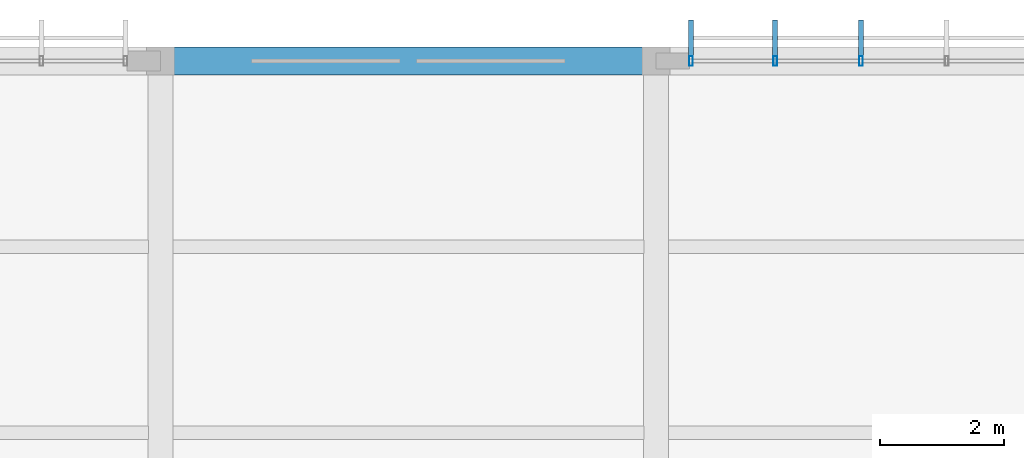
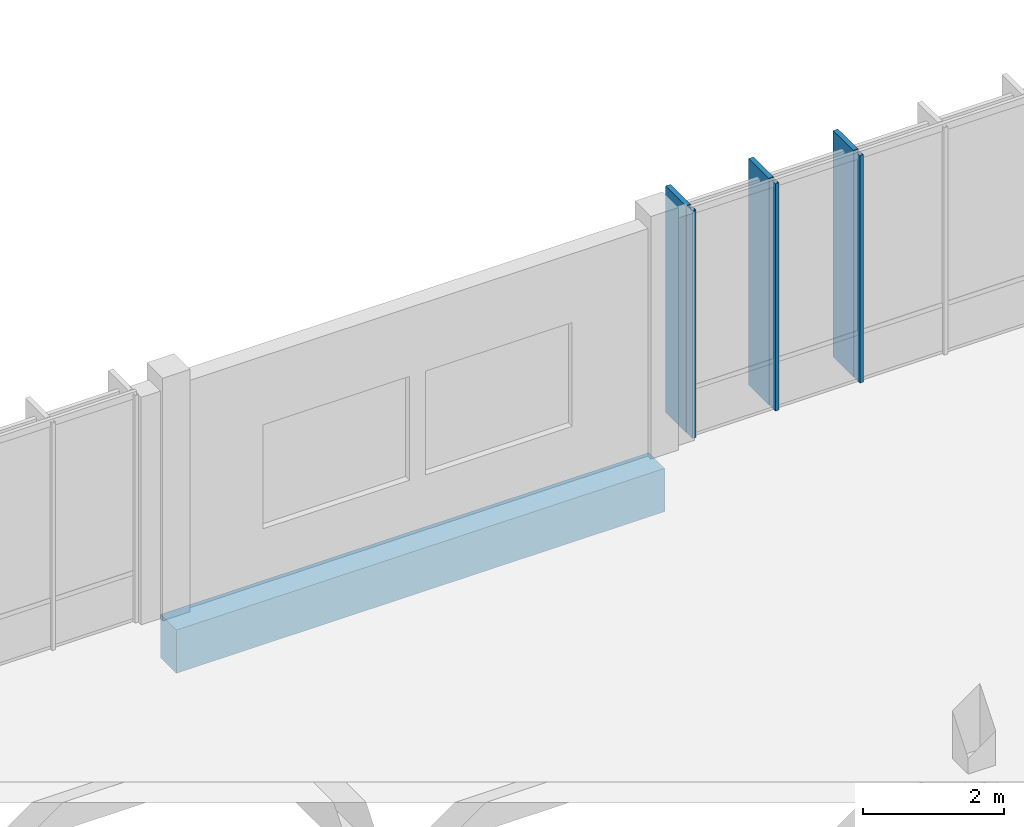
# One storey, part 62 of 94: 6 members, 1 beam, 1 element without a shape of its own.
"""IFC4 building model written with IfcOpenShell, lengths in metres."""

from ifc_helpers import new_model, si_unit, direction, frame, origin, origin_2d, place, context, subcontext, project, spatial, rectangle, hollow_rectangle, extrude, material, material_profile, profile_set, type_object, element, aggregate, save


model = new_model("IFC4")

# Units and contexts
model_context = context("Model", 3, precision=1e-05, world=origin(), true_north=direction((0.0, 1.0)))
body_context = subcontext(model_context, "Body", "Model", "MODEL_VIEW")
ifc_project = project(units=[si_unit("LENGTHUNIT", "METRE"), si_unit("AREAUNIT", "SQUARE_METRE"), si_unit("VOLUMEUNIT", "CUBIC_METRE"), si_unit("PLANEANGLEUNIT", "RADIAN"), si_unit("MASSUNIT", "GRAM", prefix="KILO")], contexts=[model_context])

# Site, building, storey
site_placement = place(None, origin())
site = spatial("IfcSite", under=ifc_project, at=site_placement, CompositionType="ELEMENT")
building_placement = place(site_placement, origin())
building = spatial("IfcBuilding", under=site, at=building_placement, Name="Chiffa Square Polytechnic", CompositionType="ELEMENT")
storey_placement = place(building_placement, frame((0.0, 0.0, 18.0)))
storey = spatial("IfcBuildingStorey", under=building, at=storey_placement, Name="L04", CompositionType="ELEMENT", Elevation=18.0)

# Beam
ifc_material_1 = material(Name="Concrete C35/45", Category="concrete")
ifc_material_profile_1 = material_profile(ifc_material_1, rectangle(XDim=0.449951171875, YDim=0.75, at=origin_2d()), Name="RC 450x750")
ifc_profile_set_1 = profile_set([ifc_material_profile_1], Name="Concrete C35/45")
beam_type = type_object("IfcBeamType", Name="BM-RC-450X750", PredefinedType="BEAM", material=ifc_profile_set_1)
beam_placement = place(storey_placement, frame((32.0, 130.800048828125, -0.614990234375), z_axis=(1.0, 0.0, 0.0), x_axis=(0.0, 1.0, 0.0)))
element("IfcBeam", 1, at=beam_placement, inside=storey, type_object=beam_type, Name="Primary floor girder BM-V5-L04-X-0320-1308", PredefinedType="BEAM", context=body_context, shape_type="SweptSolid", body=[
    extrude(rectangle(XDim=0.449951171875, YDim=0.75, at=origin_2d()), origin(), (0.0, 0.0, 1.0), 8.0),
])

# Curtain wall, members
ifc_material_2 = material(Name="Aluminium EN AW-6060 T66 and glulam shading", Category="wood")
curtain_wall_type = type_object("IfcCurtainWallType", Name="CW-VERT-480X380", PredefinedType="USERDEFINED", material=ifc_material_2)
curtain_wall_placement = place(storey_placement, origin())
curtain_wall = element("IfcCurtainWall", 2, at=curtain_wall_placement, inside=storey, type_object=curtain_wall_type, Name="Curtain wall CW-V5-L04-246", ObjectType="CURTAIN WALL", PredefinedType="USERDEFINED")
ifc_material_3 = material(Name="Aluminium EN AW-6060 T66", Category="aluminium")
ifc_material_profile_2 = material_profile(ifc_material_3, hollow_rectangle(XDim=0.06005859375, YDim=0.159912109375, WallThickness=0.00390625, at=origin_2d()), Name="ALU 60x160x4")
ifc_profile_set_2 = profile_set([ifc_material_profile_2], Name="Aluminium EN AW-6060 T66")
member_type_1 = type_object("IfcMemberType", Name="CWM-ALU-65X150", PredefinedType="MULLION", material=ifc_profile_set_2)
member_1_placement = place(storey_placement, frame((43.30810546875, 130.800048828125, 0.0), z_axis=(0.0, 0.0, 1.0), x_axis=(1.0, 0.0, 0.0)))
member_1 = element("IfcMember", 3, at=member_1_placement, type_object=member_type_1, Name="Curtain wall mullion CW-V5-L04-246-M03", PredefinedType="MULLION", context=body_context, shape_type="SweptSolid", body=[
    extrude(hollow_rectangle(XDim=0.06005859375, YDim=0.159912109375, WallThickness=0.00390625, at=origin_2d()), origin(), (0.0, 0.0, 1.0), 3.93994140625),
])
member_2_placement = place(storey_placement, frame((41.924072265625, 130.800048828125, 0.0), z_axis=(0.0, 0.0, 1.0), x_axis=(1.0, 0.0, 0.0)))
member_2 = element("IfcMember", 4, at=member_2_placement, type_object=member_type_1, Name="Curtain wall mullion CW-V5-L04-246-M04", PredefinedType="MULLION", context=body_context, shape_type="SweptSolid", body=[
    extrude(hollow_rectangle(XDim=0.06005859375, YDim=0.159912109375, WallThickness=0.00390625, at=origin_2d()), origin(), (0.0, 0.0, 1.0), 3.93994140625),
])
member_3_placement = place(storey_placement, frame((40.56494140625, 130.800048828125, 0.0), z_axis=(0.0, 0.0, 1.0), x_axis=(1.0, 0.0, 0.0)))
member_3 = element("IfcMember", 5, at=member_3_placement, type_object=member_type_1, Name="Curtain wall mullion CW-V5-L04-246-M05", PredefinedType="MULLION", context=body_context, shape_type="SweptSolid", body=[
    extrude(hollow_rectangle(XDim=0.06005859375, YDim=0.159912109375, WallThickness=0.00390625, at=origin_2d()), origin(), (0.0, 0.0, 1.0), 3.93994140625),
])
ifc_material_4 = material(Name="Glulam GL28h", Category="wood")
ifc_material_profile_3 = material_profile(ifc_material_4, rectangle(XDim=0.080078125, YDim=0.580078125, at=origin_2d()), Name="GL28h 80x580")
ifc_profile_set_3 = profile_set([ifc_material_profile_3], Name="Glulam GL28h")
member_type_2 = type_object("IfcMemberType", Name="CWM-GL-80X580", PredefinedType="MULLION", material=ifc_profile_set_3)
member_4_placement = place(storey_placement, frame((43.30810546875, 131.172119140625, 0.010009765625), z_axis=(0.0, 0.0, 1.0), x_axis=(-1.0, 0.0, 0.0)))
member_4 = element("IfcMember", 6, at=member_4_placement, type_object=member_type_2, Name="Exterior glulam solar fin CW-V5-L04-246-FN03", PredefinedType="MULLION", context=body_context, shape_type="SweptSolid", body=[
    extrude(rectangle(XDim=0.080078125, YDim=0.580078125, at=origin_2d()), origin(), (0.0, 0.0, 1.0), 3.919921875),
])
member_5_placement = place(storey_placement, frame((41.924072265625, 131.172119140625, 0.010009765625), z_axis=(0.0, 0.0, 1.0), x_axis=(-1.0, 0.0, 0.0)))
member_5 = element("IfcMember", 7, at=member_5_placement, type_object=member_type_2, Name="Exterior glulam solar fin CW-V5-L04-246-FN04", PredefinedType="MULLION", context=body_context, shape_type="SweptSolid", body=[
    extrude(rectangle(XDim=0.080078125, YDim=0.580078125, at=origin_2d()), origin(), (0.0, 0.0, 1.0), 3.919921875),
])
member_6_placement = place(storey_placement, frame((40.56494140625, 131.172119140625, 0.010009765625), z_axis=(0.0, 0.0, 1.0), x_axis=(-1.0, 0.0, 0.0)))
member_6 = element("IfcMember", 8, at=member_6_placement, type_object=member_type_2, Name="Exterior glulam solar fin CW-V5-L04-246-FN05", PredefinedType="MULLION", context=body_context, shape_type="SweptSolid", body=[
    extrude(rectangle(XDim=0.080078125, YDim=0.580078125, at=origin_2d()), origin(), (0.0, 0.0, 1.0), 3.919921875),
])
aggregate(curtain_wall, [member_1, member_4, member_2, member_5, member_3, member_6])

save(model, "model.ifc")
